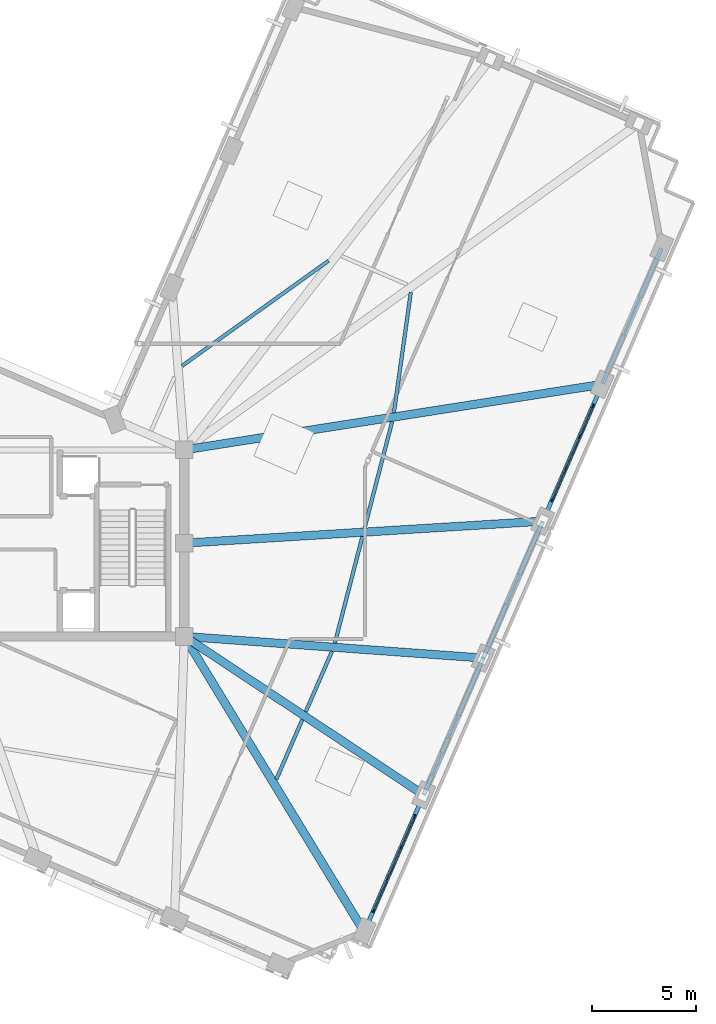
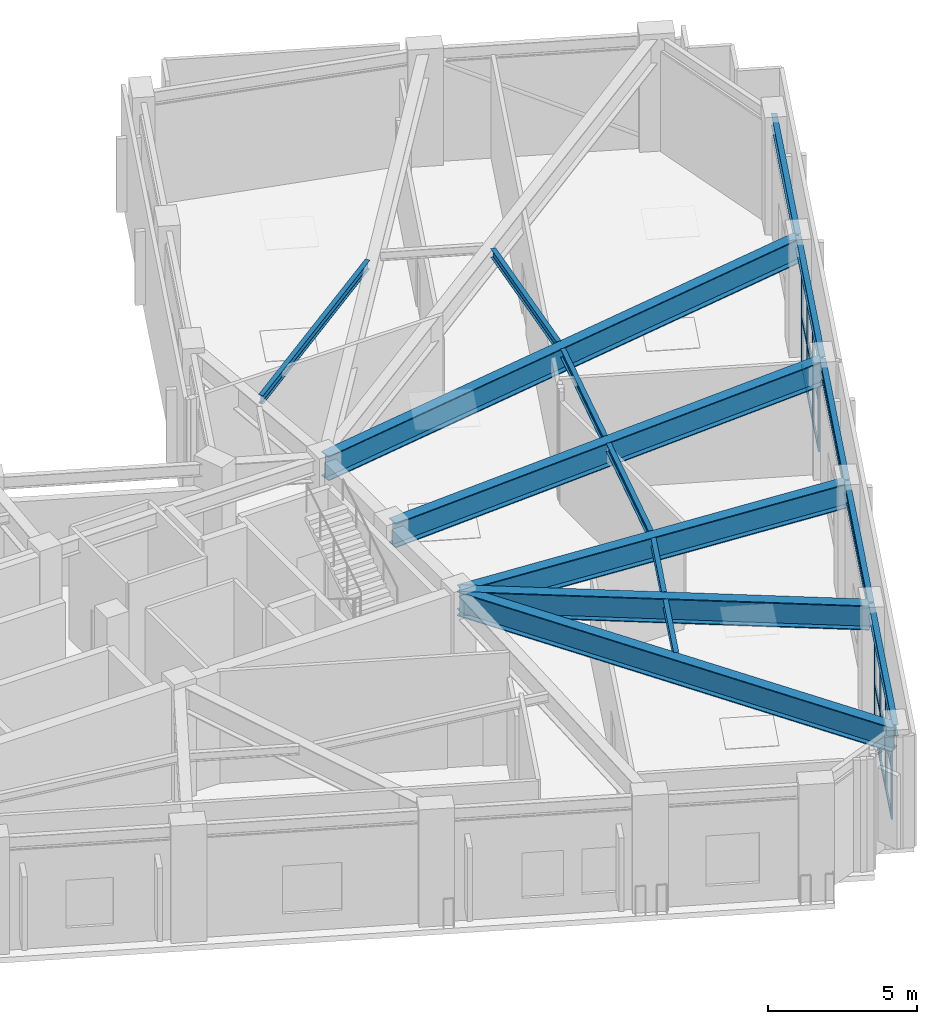
# One storey, part 2 of 11: 28 members, 16 beams, 2 elements without a shape of their own.
"""IFC4 building model written with IfcOpenShell, lengths in metres."""

import ifcopenshell
import ifcopenshell.guid

model = None  # the IFC model being written
_history = None  # IfcOwnerHistory: only IFC2X3 demands one
_inside = {}  # id of a spatial element -> (the spatial element, [elements in it])
_under = {}  # id of a project, library or spatial element -> (it, [spatial elements below it])
_declared = {}  # id of a project -> (the project, [libraries it declares])
_typed = {}  # id of a type object -> (the type object, [elements of that type])
_made_of = {}  # id of a material, layer set ... -> (it, [elements and type objects made of it])


def new_model(schema):
    """Start an empty IFC model of exactly this schema.

    Asked for "IFC4X3", IfcOpenShell would pick the latest addendum, in which some entities
    have other attributes; the version numbers below select the first issue.
    IFC2X3 requires an IfcOwnerHistory on every rooted entity: one is made here for all.
    """
    global model, _history
    if schema == "IFC4X3":
        model = ifcopenshell.file(schema_version=(4, 3, 0, 0))
    else:
        model = ifcopenshell.file(schema=schema)
    _inside.clear()
    _under.clear()
    _declared.clear()
    _typed.clear()
    _made_of.clear()
    _history = None
    if model.schema == "IFC2X3":
        org = make("IfcOrganization", Name="unknown")
        user = make(
            "IfcPersonAndOrganization",
            ThePerson=make("IfcPerson", FamilyName="unknown"),
            TheOrganization=org,
        )
        app = make(
            "IfcApplication",
            ApplicationDeveloper=org,
            Version="unknown",
            ApplicationFullName="unknown",
            ApplicationIdentifier="unknown",
        )
        _history = make(
            "IfcOwnerHistory",
            OwningUser=user,
            OwningApplication=app,
            ChangeAction="ADDED",
            CreationDate=0,
        )
    return model


def make(cls, **values):
    """One entity of the class cls with the attributes given. An attribute that is None is left unset."""
    return model.create_entity(
        cls, **{name: value for name, value in values.items() if value is not None}
    )


def rooted(cls, **values):
    """An entity with a GlobalId (a new one), such as an element, a storey or a relation."""
    return make(cls, GlobalId=ifcopenshell.guid.new(), OwnerHistory=_history, **values)


def si_unit(unit_type, name, prefix=None):
    """IfcSIUnit, for example si_unit("LENGTHUNIT", "METRE", prefix="MILLI")."""
    return make("IfcSIUnit", UnitType=unit_type, Prefix=prefix, Name=name)


def assignment(units):
    """IfcUnitAssignment: the units of a project."""
    return None if units is None else make("IfcUnitAssignment", Units=units)


def point(xyz):
    """IfcCartesianPoint."""
    return None if xyz is None else make("IfcCartesianPoint", Coordinates=xyz)


def direction(xyz):
    """IfcDirection."""
    return None if xyz is None else make("IfcDirection", DirectionRatios=xyz)


def frame(location, z_axis=None, x_axis=None):
    """IfcAxis2Placement3D, a coordinate frame: its origin and axes. An axis left out is left unset."""
    return make(
        "IfcAxis2Placement3D",
        Location=point(location),
        Axis=direction(z_axis),
        RefDirection=direction(x_axis),
    )


def frame_2d(location, x_axis=None):
    """IfcAxis2Placement2D, a coordinate frame in the plane: its origin and x axis."""
    return make(
        "IfcAxis2Placement2D", Location=point(location), RefDirection=direction(x_axis)
    )


def origin():
    """The frame at (0, 0, 0) with its axes left unset."""
    return frame((0.0, 0.0, 0.0))


def origin_2d():
    """The frame at (0, 0) in the plane with its x axis left unset."""
    return frame_2d((0.0, 0.0))


def place(relative_to, where):
    """IfcLocalPlacement: puts the frame where relative to a parent placement (None: the world)."""
    return make(
        "IfcLocalPlacement", PlacementRelTo=relative_to, RelativePlacement=where
    )


def context(
    kind, dimensions, precision=None, world=None, true_north=None, identifier=None
):
    """IfcGeometricRepresentationContext, for example the 3D "Model" context."""
    return make(
        "IfcGeometricRepresentationContext",
        ContextIdentifier=identifier,
        ContextType=kind,
        CoordinateSpaceDimension=dimensions,
        Precision=precision,
        WorldCoordinateSystem=world,
        TrueNorth=true_north,
    )


def subcontext(parent, identifier, kind, view, scale=None):
    """IfcGeometricRepresentationSubContext, for example "Body" below "Model"."""
    return make(
        "IfcGeometricRepresentationSubContext",
        ContextIdentifier=identifier,
        ContextType=kind,
        ParentContext=parent,
        TargetScale=scale,
        TargetView=view,
    )


def project(units=None, contexts=None):
    """IfcProject with its units and contexts."""
    return rooted(
        "IfcProject",
        Name="project",
        RepresentationContexts=contexts,
        UnitsInContext=assignment(units),
    )


def spatial(cls, under=None, at=None, **own):
    """A site, building, storey or space (cls), placed at a placement, below another one or the project."""
    s = rooted(cls, ObjectPlacement=at, **own)
    if under is not None:
        _under.setdefault(under.id(), (under, []))[1].append(s)
    return s


def profile(cls, at=None, kind="AREA", **sizes):
    """A parametric profile (cls). Its sizes go by their IFC names, for example OverallWidth=200.0."""
    return make(cls, ProfileType=kind, Position=at, **sizes)


def rectangle(**sizes):
    """IfcRectangleProfileDef."""
    return profile("IfcRectangleProfileDef", **sizes)


def hollow_circle(**sizes):
    """IfcCircleHollowProfileDef."""
    return profile("IfcCircleHollowProfileDef", **sizes)


def i_section(**sizes):
    """IfcIShapeProfileDef."""
    return profile("IfcIShapeProfileDef", **sizes)


def extrude(swept, where, along, depth):
    """IfcExtrudedAreaSolid: the profile swept, set in the frame where, extruded along a direction by depth."""
    return make(
        "IfcExtrudedAreaSolid",
        SweptArea=swept,
        Position=where,
        ExtrudedDirection=direction(along),
        Depth=depth,
    )


def shape(context_of_items, identifier, shape_type, items):
    """IfcShapeRepresentation: the items that make up one representation, for example the "Body"."""
    return make(
        "IfcShapeRepresentation",
        ContextOfItems=context_of_items,
        RepresentationIdentifier=identifier,
        RepresentationType=shape_type,
        Items=items,
    )


def material(Name=None, Category=None):
    """IfcMaterial."""
    return make("IfcMaterial", Name=Name, Category=Category)


def material_profile(
    of_material, cross_section, Name=None, Category=None, Priority=None
):
    """IfcMaterialProfile: a cross section and its material."""
    return make(
        "IfcMaterialProfile",
        Name=Name,
        Material=of_material,
        Profile=cross_section,
        Priority=Priority,
        Category=Category,
    )


def profile_set(profiles, Name=None, composite=None):
    """IfcMaterialProfileSet."""
    return make(
        "IfcMaterialProfileSet",
        Name=Name,
        MaterialProfiles=profiles,
        CompositeProfile=composite,
    )


def made_of(thing, what):
    """Note that an element or type object is made of a material, layer set ...; save() writes the relation."""
    if what is not None:
        _made_of.setdefault(what.id(), (what, []))[1].append(thing)
    return thing


def type_object(cls, material=None, **own):
    """A type object (cls), such as IfcWallType, which elements share."""
    return made_of(rooted(cls, **own), material)


def element(
    cls,
    number,
    at=None,
    inside=None,
    cuts=None,
    type_object=None,
    material=None,
    context=None,
    identifier="Body",
    shape_type=None,
    held_by="IfcProductDefinitionShape",
    body=None,
    shapes=None,
    **own,
):
    """One element of the class cls, such as IfcWall. Its Tag is "e" and its number.

    at: its placement. inside: the storey or other place that contains it. cuts: it is an
    opening in that element (IfcRelVoidsElement). A single representation is given by context,
    identifier, shape_type and body (its items); several are given by shapes. held_by: the class
    of the entity that holds the representations. save() writes the other relations.
    """
    e = rooted(cls, Tag="e%d" % number, ObjectPlacement=at, **own)
    if body is not None:
        shapes = [shape(context, identifier, shape_type, body)]
    if shapes is not None:
        e.Representation = make(held_by, Representations=shapes)
    if inside is not None:
        _inside.setdefault(inside.id(), (inside, []))[1].append(e)
    if cuts is not None:
        rooted(
            "IfcRelVoidsElement", RelatingBuildingElement=cuts, RelatedOpeningElement=e
        )
    if type_object is not None:
        _typed.setdefault(type_object.id(), (type_object, []))[1].append(e)
    return made_of(e, material)


def aggregate(whole, parts):
    """IfcRelAggregates: a whole, such as a stair, and the parts it consists of."""
    return rooted("IfcRelAggregates", RelatingObject=whole, RelatedObjects=parts)


def save(model, path):
    """Write the relations noted so far, then the file.

    IfcRelAggregates (storeys below a building ...), IfcRelContainedInSpatialStructure (elements
    in a storey), IfcRelDefinesByType, IfcRelAssociatesMaterial and IfcRelDeclares: one each for
    every whole, place, type object, material and project.
    """
    for whole, parts in _under.values():
        aggregate(whole, parts)
    for where, things in _inside.values():
        rooted(
            "IfcRelContainedInSpatialStructure",
            RelatedElements=things,
            RelatingStructure=where,
        )
    for kind, things in _typed.values():
        rooted("IfcRelDefinesByType", RelatedObjects=things, RelatingType=kind)
    for what, things in _made_of.values():
        rooted("IfcRelAssociatesMaterial", RelatedObjects=things, RelatingMaterial=what)
    for by, libraries in _declared.values():
        rooted("IfcRelDeclares", RelatingContext=by, RelatedDefinitions=libraries)
    model.write(path)


model = new_model("IFC4")

# Units and contexts
model_context = context("Model", 3, precision=1e-05, world=origin(), true_north=direction((0.0, 1.0)))
body_context = subcontext(model_context, "Body", "Model", "MODEL_VIEW")
ifc_project = project(units=[si_unit("LENGTHUNIT", "METRE"), si_unit("AREAUNIT", "SQUARE_METRE"), si_unit("VOLUMEUNIT", "CUBIC_METRE"), si_unit("PLANEANGLEUNIT", "RADIAN"), si_unit("MASSUNIT", "GRAM", prefix="KILO")], contexts=[model_context])

# Site, building, storey
site_placement = place(None, origin())
site = spatial("IfcSite", under=ifc_project, at=site_placement, CompositionType="ELEMENT")
building_placement = place(site_placement, origin())
building = spatial("IfcBuilding", under=site, at=building_placement, Name="Gaonmaruhae Medical Tower", CompositionType="ELEMENT")
storey_placement = place(building_placement, frame((0.0, 0.0, 328.60009765625)))
storey = spatial("IfcBuildingStorey", under=building, at=storey_placement, Name="L79", CompositionType="ELEMENT", Elevation=328.60009765625)

# Beams
ifc_material_1 = material(Name="Steel SM420", Category="steel")
ifc_material_profile_1 = material_profile(ifc_material_1, i_section(OverallWidth=0.39990234375, OverallDepth=1.0, WebThickness=0.02197265625, FlangeThickness=0.035888671875, at=origin_2d()), Name="BH-1000x400x22x36")
ifc_profile_set_1 = profile_set([ifc_material_profile_1], Name="Steel SM420")
beam_type_1 = type_object("IfcBeamType", Name="BG-02 Refuge Floor Primary Girder (BH-1000x400x22x36)", PredefinedType="BEAM", material=ifc_profile_set_1)
beam_1_placement = place(storey_placement, frame((35.6259765625, 7.75732421875, 4.079833984375), z_axis=(0.520036625826, -0.854143961988, 0.0), x_axis=(0.854143961988, 0.520036625826, 0.0)))
element("IfcBeam", 1, at=beam_1_placement, inside=storey, type_object=beam_type_1, Name="L79 Radial Primary Girder S01", PredefinedType="BEAM", context=body_context, shape_type="SweptSolid", body=[
    extrude(i_section(OverallWidth=0.39990234375, OverallDepth=1.0, WebThickness=0.02197265625, FlangeThickness=0.035888671875, at=origin_2d()), origin(), (0.0, 0.0, 1.0), 16.58154296875),
])
beam_2_placement = place(storey_placement, frame((35.6416015625, 7.7724609375, 4.079833984375), z_axis=(0.833770161097, -0.552111690208, 0.0), x_axis=(0.552111690208, 0.833770161097, 0.0)))
element("IfcBeam", 2, at=beam_2_placement, inside=storey, type_object=beam_type_1, Name="L79 Radial Primary Girder S02", PredefinedType="BEAM", context=body_context, shape_type="SweptSolid", body=[
    extrude(i_section(OverallWidth=0.39990234375, OverallDepth=1.0, WebThickness=0.02197265625, FlangeThickness=0.035888671875, at=origin_2d()), origin(), (0.0, 0.0, 1.0), 13.748291015625),
])
beam_3_placement = place(storey_placement, frame((35.64990234375, 7.79638671875, 4.079833984375), z_axis=(0.997394062708, -0.072146265841, 0.0), x_axis=(0.072146265841, 0.997394062708, 0.0)))
element("IfcBeam", 3, at=beam_3_placement, inside=storey, type_object=beam_type_1, Name="L79 Radial Primary Girder S03", PredefinedType="BEAM", context=body_context, shape_type="SweptSolid", body=[
    extrude(i_section(OverallWidth=0.39990234375, OverallDepth=1.0, WebThickness=0.02197265625, FlangeThickness=0.035888671875, at=origin_2d()), origin(), (0.0, 0.0, 1.0), 14.354736328125),
])
beam_4_placement = place(storey_placement, frame((35.64990234375, 12.302978515625, 4.079833984375), z_axis=(0.998125311209, 0.061203456791, 0.0), x_axis=(-0.061203456791, 0.998125311209, 0.0)))
element("IfcBeam", 4, at=beam_4_placement, inside=storey, type_object=beam_type_1, Name="L79 Radial Primary Girder S04", PredefinedType="BEAM", context=body_context, shape_type="SweptSolid", body=[
    extrude(i_section(OverallWidth=0.39990234375, OverallDepth=1.0, WebThickness=0.02197265625, FlangeThickness=0.035888671875, at=origin_2d()), origin(), (0.0, 0.0, 1.0), 17.220458984375),
])
beam_5_placement = place(storey_placement, frame((35.6494140625, 16.807861328125, 4.079833984375), z_axis=(0.987915736395, 0.15499192812, 0.0), x_axis=(-0.15499192812, 0.987915736395, 0.0)))
element("IfcBeam", 5, at=beam_5_placement, inside=storey, type_object=beam_type_1, Name="L79 Radial Primary Girder S05", PredefinedType="BEAM", context=body_context, shape_type="SweptSolid", body=[
    extrude(i_section(OverallWidth=0.39990234375, OverallDepth=1.0, WebThickness=0.02197265625, FlangeThickness=0.035888671875, at=origin_2d()), origin(), (0.0, 0.0, 1.0), 20.3056640625),
])

# Curtain wall, members
ifc_material_2 = material(Name="Anodised aluminium and Low-E double glazing", Category="aluminium")
curtain_wall_type = type_object("IfcCurtainWallType", Name="CW-S4 Setback Sky Garden Wintergarden Curtain Wall", PredefinedType="NOTDEFINED", material=ifc_material_2)
curtain_wall_1_placement = place(storey_placement, origin())
curtain_wall_1 = element("IfcCurtainWall", 6, at=curtain_wall_1_placement, inside=storey, type_object=curtain_wall_type, Name="L79 Curtain Wall CW-L79-S01", PredefinedType="NOTDEFINED")
ifc_material_3 = material(Name="Anodised aluminium 6063-T6", Category="aluminium")
ifc_material_profile_2 = material_profile(ifc_material_3, rectangle(XDim=0.06494140625, YDim=0.179931640625, at=origin_2d()), Name="CWM-65x180")
ifc_profile_set_2 = profile_set([ifc_material_profile_2], Name="Anodised aluminium 6063-T6")
member_type_1 = type_object("IfcMemberType", Name="CWM-2 Tower Feature Curtain Wall Mullion (CWM-65x180)", PredefinedType="MULLION", material=ifc_profile_set_2)
member_1_placement = place(storey_placement, frame((46.699462890625, -0.872802734375, 0.0), z_axis=(0.0, 0.0, 1.0), x_axis=(0.917067525132, -0.398731932942, 0.0)))
member_1 = element("IfcMember", 7, at=member_1_placement, type_object=member_type_1, Name="CW-S4 mullion 1", PredefinedType="MULLION", context=body_context, shape_type="SweptSolid", body=[
    extrude(rectangle(XDim=0.06494140625, YDim=0.179931640625, at=origin_2d()), origin(), (0.0, 0.0, 1.0), 4.06494140625),
])
member_2_placement = place(storey_placement, frame((46.04443359375, -2.37890625, 0.0), z_axis=(0.0, 0.0, 1.0), x_axis=(0.917067525132, -0.398731932942, 0.0)))
member_2 = element("IfcMember", 8, at=member_2_placement, type_object=member_type_1, Name="CW-S4 mullion 2", PredefinedType="MULLION", context=body_context, shape_type="SweptSolid", body=[
    extrude(rectangle(XDim=0.06494140625, YDim=0.179931640625, at=origin_2d()), origin(), (0.0, 0.0, 1.0), 4.06494140625),
])
member_3_placement = place(storey_placement, frame((45.376708984375, -3.9150390625, 0.0), z_axis=(0.0, 0.0, 1.0), x_axis=(0.917067525132, -0.398731932942, 0.0)))
member_3 = element("IfcMember", 9, at=member_3_placement, type_object=member_type_1, Name="CW-S4 mullion 3", PredefinedType="MULLION", context=body_context, shape_type="SweptSolid", body=[
    extrude(rectangle(XDim=0.06494140625, YDim=0.179931640625, at=origin_2d()), origin(), (0.0, 0.0, 1.0), 4.06494140625),
])
member_4_placement = place(storey_placement, frame((44.7216796875, -5.42138671875, 0.0), z_axis=(0.0, 0.0, 1.0), x_axis=(0.917067525132, -0.398731932942, 0.0)))
member_4 = element("IfcMember", 10, at=member_4_placement, type_object=member_type_1, Name="CW-S4 mullion 4", PredefinedType="MULLION", context=body_context, shape_type="SweptSolid", body=[
    extrude(rectangle(XDim=0.06494140625, YDim=0.179931640625, at=origin_2d()), origin(), (0.0, 0.0, 1.0), 4.06494140625),
])

curtain_wall_2_placement = place(storey_placement, origin())
curtain_wall_2 = element("IfcCurtainWall", 11, at=curtain_wall_2_placement, inside=storey, type_object=curtain_wall_type, Name="L79 Curtain Wall CW-L79-S04", PredefinedType="NOTDEFINED")
member_5_placement = place(storey_placement, frame((55.3125, 18.935791015625, 0.0), z_axis=(0.0, 0.0, 1.0), x_axis=(0.917060248038, -0.398748669551, 0.0)))
member_5 = element("IfcMember", 12, at=member_5_placement, type_object=member_type_1, Name="CW-S4 mullion 1", PredefinedType="MULLION", context=body_context, shape_type="SweptSolid", body=[
    extrude(rectangle(XDim=0.06494140625, YDim=0.179931640625, at=origin_2d()), origin(), (0.0, 0.0, 1.0), 4.06494140625),
])
member_6_placement = place(storey_placement, frame((54.657470703125, 17.429443359375, 0.0), z_axis=(0.0, 0.0, 1.0), x_axis=(0.917060248038, -0.398748669551, 0.0)))
member_6 = element("IfcMember", 13, at=member_6_placement, type_object=member_type_1, Name="CW-S4 mullion 2", PredefinedType="MULLION", context=body_context, shape_type="SweptSolid", body=[
    extrude(rectangle(XDim=0.06494140625, YDim=0.179931640625, at=origin_2d()), origin(), (0.0, 0.0, 1.0), 4.06494140625),
])
member_7_placement = place(storey_placement, frame((53.989501953125, 15.8935546875, 0.0), z_axis=(0.0, 0.0, 1.0), x_axis=(0.917060248038, -0.398748669551, 0.0)))
member_7 = element("IfcMember", 14, at=member_7_placement, type_object=member_type_1, Name="CW-S4 mullion 3", PredefinedType="MULLION", context=body_context, shape_type="SweptSolid", body=[
    extrude(rectangle(XDim=0.06494140625, YDim=0.179931640625, at=origin_2d()), origin(), (0.0, 0.0, 1.0), 4.06494140625),
])
member_8_placement = place(storey_placement, frame((53.334716796875, 14.38720703125, 0.0), z_axis=(0.0, 0.0, 1.0), x_axis=(0.917060248038, -0.398748669551, 0.0)))
member_8 = element("IfcMember", 15, at=member_8_placement, type_object=member_type_1, Name="CW-S4 mullion 4", PredefinedType="MULLION", context=body_context, shape_type="SweptSolid", body=[
    extrude(rectangle(XDim=0.06494140625, YDim=0.179931640625, at=origin_2d()), origin(), (0.0, 0.0, 1.0), 4.06494140625),
])

# Member
ifc_material_profile_3 = material_profile(ifc_material_3, rectangle(XDim=0.06494140625, YDim=0.139892578125, at=origin_2d()), Name="CWT-65x140")
ifc_profile_set_3 = profile_set([ifc_material_profile_3], Name="Anodised aluminium 6063-T6")
member_type_2 = type_object("IfcMemberType", Name="CWT-2 Tower Feature Curtain Wall Transom (CWT-65x140)", PredefinedType="USERDEFINED", material=ifc_profile_set_3)
member_9_placement = place(storey_placement, frame((46.6865234375, -0.902587890625, 0.032470703125), z_axis=(-0.398844954504, -0.917018376188, 0.0), x_axis=(0.917018376188, -0.398844954504, 0.0)))
member_9 = element("IfcMember", 16, at=member_9_placement, type_object=member_type_2, Name="CW-S4 transom 1.1", ObjectType="TRANSOM", PredefinedType="USERDEFINED", context=body_context, shape_type="SweptSolid", body=[
    extrude(rectangle(XDim=0.06494140625, YDim=0.139892578125, at=origin_2d()), origin(), (0.0, 0.0, 1.0), 1.577392578125),
])

member_10_placement = place(storey_placement, frame((46.6865234375, -0.902587890625, 2.032470703125), z_axis=(-0.398844954504, -0.917018376188, 0.0), x_axis=(0.917018376188, -0.398844954504, 0.0)))
member_10 = element("IfcMember", 17, at=member_10_placement, type_object=member_type_2, Name="CW-S4 transom 1.2", ObjectType="TRANSOM", PredefinedType="USERDEFINED", context=body_context, shape_type="SweptSolid", body=[
    extrude(rectangle(XDim=0.06494140625, YDim=0.139892578125, at=origin_2d()), origin(), (0.0, 0.0, 1.0), 1.577392578125),
])

member_11_placement = place(storey_placement, frame((46.6865234375, -0.902587890625, 4.032470703125), z_axis=(-0.398844954504, -0.917018376188, 0.0), x_axis=(0.917018376188, -0.398844954504, 0.0)))
member_11 = element("IfcMember", 18, at=member_11_placement, type_object=member_type_2, Name="CW-S4 transom 1.3", ObjectType="TRANSOM", PredefinedType="USERDEFINED", context=body_context, shape_type="SweptSolid", body=[
    extrude(rectangle(XDim=0.06494140625, YDim=0.139892578125, at=origin_2d()), origin(), (0.0, 0.0, 1.0), 1.577392578125),
])

member_12_placement = place(storey_placement, frame((46.031494140625, -2.40869140625, 0.032470703125), z_axis=(-0.398654028301, -0.917101393369, 0.0), x_axis=(0.917101393369, -0.398654028301, 0.0)))
member_12 = element("IfcMember", 19, at=member_12_placement, type_object=member_type_2, Name="CW-S4 transom 2.1", ObjectType="TRANSOM", PredefinedType="USERDEFINED", context=body_context, shape_type="SweptSolid", body=[
    extrude(rectangle(XDim=0.06494140625, YDim=0.139892578125, at=origin_2d()), origin(), (0.0, 0.0, 1.0), 1.610107421875),
])

member_13_placement = place(storey_placement, frame((46.031494140625, -2.40869140625, 2.032470703125), z_axis=(-0.398654028301, -0.917101393369, 0.0), x_axis=(0.917101393369, -0.398654028301, 0.0)))
member_13 = element("IfcMember", 20, at=member_13_placement, type_object=member_type_2, Name="CW-S4 transom 2.2", ObjectType="TRANSOM", PredefinedType="USERDEFINED", context=body_context, shape_type="SweptSolid", body=[
    extrude(rectangle(XDim=0.06494140625, YDim=0.139892578125, at=origin_2d()), origin(), (0.0, 0.0, 1.0), 1.610107421875),
])

member_14_placement = place(storey_placement, frame((46.031494140625, -2.40869140625, 4.032470703125), z_axis=(-0.398654028301, -0.917101393369, 0.0), x_axis=(0.917101393369, -0.398654028301, 0.0)))
member_14 = element("IfcMember", 21, at=member_14_placement, type_object=member_type_2, Name="CW-S4 transom 2.3", ObjectType="TRANSOM", PredefinedType="USERDEFINED", context=body_context, shape_type="SweptSolid", body=[
    extrude(rectangle(XDim=0.06494140625, YDim=0.139892578125, at=origin_2d()), origin(), (0.0, 0.0, 1.0), 1.610107421875),
])

member_15_placement = place(storey_placement, frame((45.36376953125, -3.94482421875, 0.032470703125), z_axis=(-0.398788354558, -0.917042991505, 0.0), x_axis=(0.917042991505, -0.398788354558, 0.0)))
member_15 = element("IfcMember", 22, at=member_15_placement, type_object=member_type_2, Name="CW-S4 transom 3.1", ObjectType="TRANSOM", PredefinedType="USERDEFINED", context=body_context, shape_type="SweptSolid", body=[
    extrude(rectangle(XDim=0.06494140625, YDim=0.139892578125, at=origin_2d()), origin(), (0.0, 0.0, 1.0), 1.57763671875),
])

member_16_placement = place(storey_placement, frame((45.36376953125, -3.94482421875, 2.032470703125), z_axis=(-0.398788354558, -0.917042991505, 0.0), x_axis=(0.917042991505, -0.398788354558, 0.0)))
member_16 = element("IfcMember", 23, at=member_16_placement, type_object=member_type_2, Name="CW-S4 transom 3.2", ObjectType="TRANSOM", PredefinedType="USERDEFINED", context=body_context, shape_type="SweptSolid", body=[
    extrude(rectangle(XDim=0.06494140625, YDim=0.139892578125, at=origin_2d()), origin(), (0.0, 0.0, 1.0), 1.57763671875),
])

member_17_placement = place(storey_placement, frame((45.36376953125, -3.94482421875, 4.032470703125), z_axis=(-0.398788354558, -0.917042991505, 0.0), x_axis=(0.917042991505, -0.398788354558, 0.0)))
member_17 = element("IfcMember", 24, at=member_17_placement, type_object=member_type_2, Name="CW-S4 transom 3.3", ObjectType="TRANSOM", PredefinedType="USERDEFINED", context=body_context, shape_type="SweptSolid", body=[
    extrude(rectangle(XDim=0.06494140625, YDim=0.139892578125, at=origin_2d()), origin(), (0.0, 0.0, 1.0), 1.57763671875),
])

aggregate(curtain_wall_1, [member_1, member_2, member_3, member_4, member_9, member_10, member_11, member_12, member_13, member_14, member_15, member_16, member_17])

member_18_placement = place(storey_placement, frame((55.299560546875, 18.906005859375, 0.032470703125), z_axis=(-0.398788354558, -0.917042991505, 0.0), x_axis=(0.917042991505, -0.398788354558, 0.0)))
member_18 = element("IfcMember", 25, at=member_18_placement, type_object=member_type_2, Name="CW-S4 transom 1.1", ObjectType="TRANSOM", PredefinedType="USERDEFINED", context=body_context, shape_type="SweptSolid", body=[
    extrude(rectangle(XDim=0.06494140625, YDim=0.139892578125, at=origin_2d()), origin(), (0.0, 0.0, 1.0), 1.57763671875),
])

member_19_placement = place(storey_placement, frame((55.299560546875, 18.906005859375, 2.032470703125), z_axis=(-0.398788354558, -0.917042991505, 0.0), x_axis=(0.917042991505, -0.398788354558, 0.0)))
member_19 = element("IfcMember", 26, at=member_19_placement, type_object=member_type_2, Name="CW-S4 transom 1.2", ObjectType="TRANSOM", PredefinedType="USERDEFINED", context=body_context, shape_type="SweptSolid", body=[
    extrude(rectangle(XDim=0.06494140625, YDim=0.139892578125, at=origin_2d()), origin(), (0.0, 0.0, 1.0), 1.57763671875),
])

member_20_placement = place(storey_placement, frame((55.299560546875, 18.906005859375, 4.032470703125), z_axis=(-0.398788354558, -0.917042991505, 0.0), x_axis=(0.917042991505, -0.398788354558, 0.0)))
member_20 = element("IfcMember", 27, at=member_20_placement, type_object=member_type_2, Name="CW-S4 transom 1.3", ObjectType="TRANSOM", PredefinedType="USERDEFINED", context=body_context, shape_type="SweptSolid", body=[
    extrude(rectangle(XDim=0.06494140625, YDim=0.139892578125, at=origin_2d()), origin(), (0.0, 0.0, 1.0), 1.57763671875),
])

member_21_placement = place(storey_placement, frame((54.64453125, 17.399658203125, 0.032470703125), z_axis=(-0.398837012418, -0.917021830452, 0.0), x_axis=(0.917021830452, -0.398837012418, 0.0)))
member_21 = element("IfcMember", 28, at=member_21_placement, type_object=member_type_2, Name="CW-S4 transom 2.1", ObjectType="TRANSOM", PredefinedType="USERDEFINED", context=body_context, shape_type="SweptSolid", body=[
    extrude(rectangle(XDim=0.06494140625, YDim=0.139892578125, at=origin_2d()), origin(), (0.0, 0.0, 1.0), 1.60986328125),
])

member_22_placement = place(storey_placement, frame((54.64453125, 17.399658203125, 2.032470703125), z_axis=(-0.398837012418, -0.917021830452, 0.0), x_axis=(0.917021830452, -0.398837012418, 0.0)))
member_22 = element("IfcMember", 29, at=member_22_placement, type_object=member_type_2, Name="CW-S4 transom 2.2", ObjectType="TRANSOM", PredefinedType="USERDEFINED", context=body_context, shape_type="SweptSolid", body=[
    extrude(rectangle(XDim=0.06494140625, YDim=0.139892578125, at=origin_2d()), origin(), (0.0, 0.0, 1.0), 1.60986328125),
])

member_23_placement = place(storey_placement, frame((54.64453125, 17.399658203125, 4.032470703125), z_axis=(-0.398837012418, -0.917021830452, 0.0), x_axis=(0.917021830452, -0.398837012418, 0.0)))
member_23 = element("IfcMember", 30, at=member_23_placement, type_object=member_type_2, Name="CW-S4 transom 2.3", ObjectType="TRANSOM", PredefinedType="USERDEFINED", context=body_context, shape_type="SweptSolid", body=[
    extrude(rectangle(XDim=0.06494140625, YDim=0.139892578125, at=origin_2d()), origin(), (0.0, 0.0, 1.0), 1.60986328125),
])

member_24_placement = place(storey_placement, frame((53.9765625, 15.86376953125, 0.032470703125), z_axis=(-0.398658203519, -0.917099578436, 0.0), x_axis=(0.917099578436, -0.398658203519, 0.0)))
member_24 = element("IfcMember", 31, at=member_24_placement, type_object=member_type_2, Name="CW-S4 transom 3.1", ObjectType="TRANSOM", PredefinedType="USERDEFINED", context=body_context, shape_type="SweptSolid", body=[
    extrude(rectangle(XDim=0.06494140625, YDim=0.139892578125, at=origin_2d()), origin(), (0.0, 0.0, 1.0), 1.57763671875),
])

member_25_placement = place(storey_placement, frame((53.9765625, 15.86376953125, 2.032470703125), z_axis=(-0.398658203519, -0.917099578436, 0.0), x_axis=(0.917099578436, -0.398658203519, 0.0)))
member_25 = element("IfcMember", 32, at=member_25_placement, type_object=member_type_2, Name="CW-S4 transom 3.2", ObjectType="TRANSOM", PredefinedType="USERDEFINED", context=body_context, shape_type="SweptSolid", body=[
    extrude(rectangle(XDim=0.06494140625, YDim=0.139892578125, at=origin_2d()), origin(), (0.0, 0.0, 1.0), 1.57763671875),
])

member_26_placement = place(storey_placement, frame((53.9765625, 15.86376953125, 4.032470703125), z_axis=(-0.398658203519, -0.917099578436, 0.0), x_axis=(0.917099578436, -0.398658203519, 0.0)))
member_26 = element("IfcMember", 33, at=member_26_placement, type_object=member_type_2, Name="CW-S4 transom 3.3", ObjectType="TRANSOM", PredefinedType="USERDEFINED", context=body_context, shape_type="SweptSolid", body=[
    extrude(rectangle(XDim=0.06494140625, YDim=0.139892578125, at=origin_2d()), origin(), (0.0, 0.0, 1.0), 1.57763671875),
])

aggregate(curtain_wall_2, [member_5, member_6, member_7, member_8, member_18, member_19, member_20, member_21, member_22, member_23, member_24, member_25, member_26])

# Beams
ifc_material_4 = material(Name="Steel SM355", Category="steel")
ifc_material_profile_4 = material_profile(ifc_material_4, i_section(OverallWidth=0.175048828125, OverallDepth=0.35009765625, WebThickness=0.007080078125, FlangeThickness=0.010986328125, FilletRadius=0.012939453125, at=origin_2d()), Name="H-350x175x7x11")
ifc_profile_set_4 = profile_set([ifc_material_profile_4], Name="Steel SM355")
beam_type_2 = type_object("IfcBeamType", Name="FJ-02 Upper Zone Ward Floor Joist (H-350x175x7x11)", PredefinedType="JOIST", material=ifc_profile_set_4)
beam_6_placement = place(storey_placement, frame((40.03759765625, 0.905517578125, 4.40478515625), z_axis=(0.39874601067, 0.917061404146, 0.0), x_axis=(-0.917061404146, 0.39874601067, 0.0)))
element("IfcBeam", 34, at=beam_6_placement, inside=storey, type_object=beam_type_2, Name="L79 Secondary Floor Joist FJ01", PredefinedType="JOIST", context=body_context, shape_type="SweptSolid", body=[
    extrude(i_section(OverallWidth=0.175048828125, OverallDepth=0.35009765625, WebThickness=0.007080078125, FlangeThickness=0.010986328125, FilletRadius=0.012939453125, at=origin_2d()), origin(), (0.0, 0.0, 1.0), 3.140380859375),
])
beam_7_placement = place(storey_placement, frame((41.45654296875, 4.1689453125, 4.40478515625), z_axis=(0.398742993355, 0.917062716094, 0.0), x_axis=(-0.917062716094, 0.398742993355, 0.0)))
element("IfcBeam", 35, at=beam_7_placement, inside=storey, type_object=beam_type_2, Name="L79 Secondary Floor Joist FJ02", PredefinedType="JOIST", context=body_context, shape_type="SweptSolid", body=[
    extrude(i_section(OverallWidth=0.175048828125, OverallDepth=0.35009765625, WebThickness=0.007080078125, FlangeThickness=0.010986328125, FilletRadius=0.012939453125, at=origin_2d()), origin(), (0.0, 0.0, 1.0), 3.1728515625),
])
beam_8_placement = place(storey_placement, frame((42.86083984375, 7.481201171875, 4.40478515625), z_axis=(0.250373159945, 0.968149410359, 0.0), x_axis=(-0.968149410359, 0.250373159945, 0.0)))
element("IfcBeam", 36, at=beam_8_placement, inside=storey, type_object=beam_type_2, Name="L79 Secondary Floor Joist FJ03", PredefinedType="JOIST", context=body_context, shape_type="SweptSolid", body=[
    extrude(i_section(OverallWidth=0.175048828125, OverallDepth=0.35009765625, WebThickness=0.007080078125, FlangeThickness=0.010986328125, FilletRadius=0.012939453125, at=origin_2d()), origin(), (0.0, 0.0, 1.0), 5.30859375),
])
beam_9_placement = place(storey_placement, frame((44.298095703125, 13.03955078125, 4.40478515625), z_axis=(0.25037313325, 0.968149417263, 0.0), x_axis=(-0.968149417263, 0.25037313325, 0.0)))
element("IfcBeam", 37, at=beam_9_placement, inside=storey, type_object=beam_type_2, Name="L79 Secondary Floor Joist FJ04", PredefinedType="JOIST", context=body_context, shape_type="SweptSolid", body=[
    extrude(i_section(OverallWidth=0.175048828125, OverallDepth=0.35009765625, WebThickness=0.007080078125, FlangeThickness=0.010986328125, FilletRadius=0.012939453125, at=origin_2d()), origin(), (0.0, 0.0, 1.0), 5.2939453125),
])
beam_10_placement = place(storey_placement, frame((45.70947265625, 18.594482421875, 4.40478515625), z_axis=(0.138970704931, 0.990296492557, 0.0), x_axis=(-0.990296492557, 0.138970704931, 0.0)))
element("IfcBeam", 38, at=beam_10_placement, inside=storey, type_object=beam_type_2, Name="L79 Secondary Floor Joist FJ05", PredefinedType="JOIST", context=body_context, shape_type="SweptSolid", body=[
    extrude(i_section(OverallWidth=0.175048828125, OverallDepth=0.35009765625, WebThickness=0.007080078125, FlangeThickness=0.010986328125, FilletRadius=0.012939453125, at=origin_2d()), origin(), (0.0, 0.0, 1.0), 5.85888671875),
])
beam_11_placement = place(storey_placement, frame((42.553955078125, 25.921142578125, 4.40478515625), z_axis=(-0.812434971378, -0.583051813548, 0.0), x_axis=(0.583051813548, -0.812434971378, 0.0)))
element("IfcBeam", 39, at=beam_11_placement, inside=storey, type_object=beam_type_2, Name="L79 Secondary Floor Joist FJ07", PredefinedType="JOIST", context=body_context, shape_type="SweptSolid", body=[
    extrude(i_section(OverallWidth=0.175048828125, OverallDepth=0.35009765625, WebThickness=0.007080078125, FlangeThickness=0.010986328125, FilletRadius=0.012939453125, at=origin_2d()), origin(), (0.0, 0.0, 1.0), 8.690185546875),
])

# Members
ifc_material_profile_5 = material_profile(ifc_material_4, hollow_circle(Radius=0.108154296875, WallThickness=0.00830078125, at=origin_2d()), Name="CHS-216.3x8.2")
ifc_profile_set_5 = profile_set([ifc_material_profile_5], Name="Steel SM355")
member_type_3 = type_object("IfcMemberType", Name="PR-03 Sky Garden Pergola Purlin (CHS-216.3x8.2)", PredefinedType="PURLIN", material=ifc_profile_set_5)
member_27_placement = place(storey_placement, frame((47.14599609375, 0.154296875, 4.4248046875), z_axis=(0.398750908406, 0.917059274554, 0.0), x_axis=(-0.365676531878, 0.15900155346, 0.917060074385)))
element("IfcMember", 40, at=member_27_placement, inside=storey, type_object=member_type_3, Name="L79 Sky Garden Pergola Purlin 1", PredefinedType="PURLIN", context=body_context, shape_type="SweptSolid", body=[
    extrude(hollow_circle(Radius=0.108154296875, WallThickness=0.00830078125, at=origin_2d()), origin(), (0.0, 0.0, 1.0), 7.2001953125),
])
member_28_placement = place(storey_placement, frame((50.01708984375, 6.75732421875, 4.4248046875), z_axis=(0.398763307949, 0.91705388295, 0.0), x_axis=(-0.365674381981, 0.159006497766, 0.917060074385)))
element("IfcMember", 41, at=member_28_placement, inside=storey, type_object=member_type_3, Name="L79 Sky Garden Pergola Purlin 2", PredefinedType="PURLIN", context=body_context, shape_type="SweptSolid", body=[
    extrude(hollow_circle(Radius=0.108154296875, WallThickness=0.00830078125, at=origin_2d()), origin(), (0.0, 0.0, 1.0), 7.199951171875),
])

# Beams
ifc_material_profile_6 = material_profile(ifc_material_4, i_section(OverallWidth=0.199951171875, OverallDepth=0.5, WebThickness=0.010009765625, FlangeThickness=0.01611328125, FilletRadius=0.012939453125, at=origin_2d()), Name="H-500x200x10x16")
ifc_profile_set_6 = profile_set([ifc_material_profile_6], Name="Steel SM355")
beam_type_3 = type_object("IfcBeamType", Name="SP-02 Upper Perimeter Spandrel Beam (H-500x200x10x16)", PredefinedType="SPANDREL", material=ifc_profile_set_6)
beam_12_placement = place(storey_placement, frame((44.291015625, -6.411865234375, 4.329833984375), z_axis=(0.398747426125, 0.917060788693, 0.0), x_axis=(-0.917060788693, 0.398747426125, 0.0)))
element("IfcBeam", 42, at=beam_12_placement, inside=storey, type_object=beam_type_3, Name="L79 Perimeter Spandrel Beam S01-S02", PredefinedType="SPANDREL", context=body_context, shape_type="SweptSolid", body=[
    extrude(i_section(OverallWidth=0.199951171875, OverallDepth=0.5, WebThickness=0.010009765625, FlangeThickness=0.01611328125, FilletRadius=0.012939453125, at=origin_2d()), origin(), (0.0, 0.0, 1.0), 7.1201171875),
])
beam_13_placement = place(storey_placement, frame((47.162109375, 0.191162109375, 4.329833984375), z_axis=(0.398759965154, 0.917055336493, 0.0), x_axis=(-0.917055336493, 0.398759965154, 0.0)))
element("IfcBeam", 43, at=beam_13_placement, inside=storey, type_object=beam_type_3, Name="L79 Perimeter Spandrel Beam S02-S03", PredefinedType="SPANDREL", context=body_context, shape_type="SweptSolid", body=[
    extrude(i_section(OverallWidth=0.199951171875, OverallDepth=0.5, WebThickness=0.010009765625, FlangeThickness=0.01611328125, FilletRadius=0.012939453125, at=origin_2d()), origin(), (0.0, 0.0, 1.0), 7.119873046875),
])
for number, where, z_axis, x_axis, name in (
    (44, (50.032958984375, 6.7939453125, 4.329833984375), (0.398747426125, 0.917060788693, 0.0), (-0.917060788693, 0.398747426125, 0.0), "L79 Perimeter Spandrel Beam S03-S04"),
    (45, (52.904052734375, 13.396728515625, 4.329833984375), (0.398747426125, 0.917060788693, 0.0), (-0.917060788693, 0.398747426125, 0.0), "L79 Perimeter Spandrel Beam S04-S05"),
):
    element("IfcBeam", number, at=place(storey_placement, frame(where, z_axis=z_axis, x_axis=x_axis)), inside=storey, type_object=beam_type_3, Name=name, PredefinedType="SPANDREL", context=body_context, shape_type="SweptSolid", body=[
        extrude(i_section(OverallWidth=0.199951171875, OverallDepth=0.5, WebThickness=0.010009765625, FlangeThickness=0.01611328125, FilletRadius=0.012939453125, at=origin_2d()), origin(), (0.0, 0.0, 1.0), 7.1201171875),
    ])
beam_14_placement = place(storey_placement, frame((55.775146484375, 19.99951171875, 4.329833984375), z_axis=(0.398718588421, 0.917073327083, 0.0), x_axis=(-0.917073327083, 0.398718588421, 0.0)))
element("IfcBeam", 46, at=beam_14_placement, inside=storey, type_object=beam_type_3, Name="L79 Perimeter Spandrel Beam S05-S06", PredefinedType="SPANDREL", context=body_context, shape_type="SweptSolid", body=[
    extrude(i_section(OverallWidth=0.199951171875, OverallDepth=0.5, WebThickness=0.010009765625, FlangeThickness=0.01611328125, FilletRadius=0.012939453125, at=origin_2d()), origin(), (0.0, 0.0, 1.0), 7.119873046875),
])

save(model, "model.ifc")
